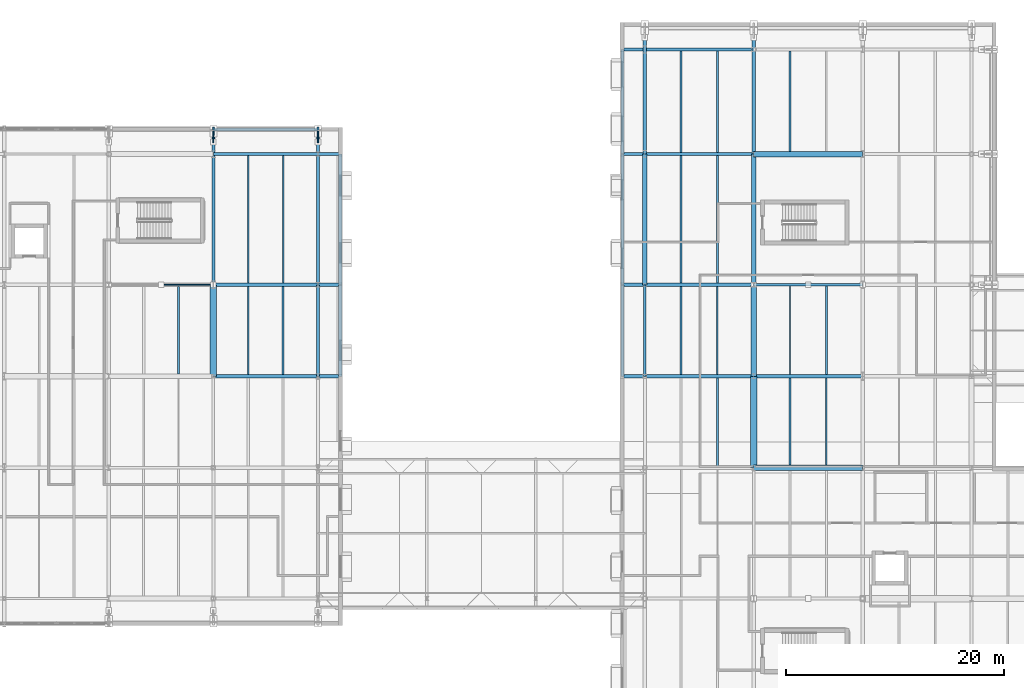
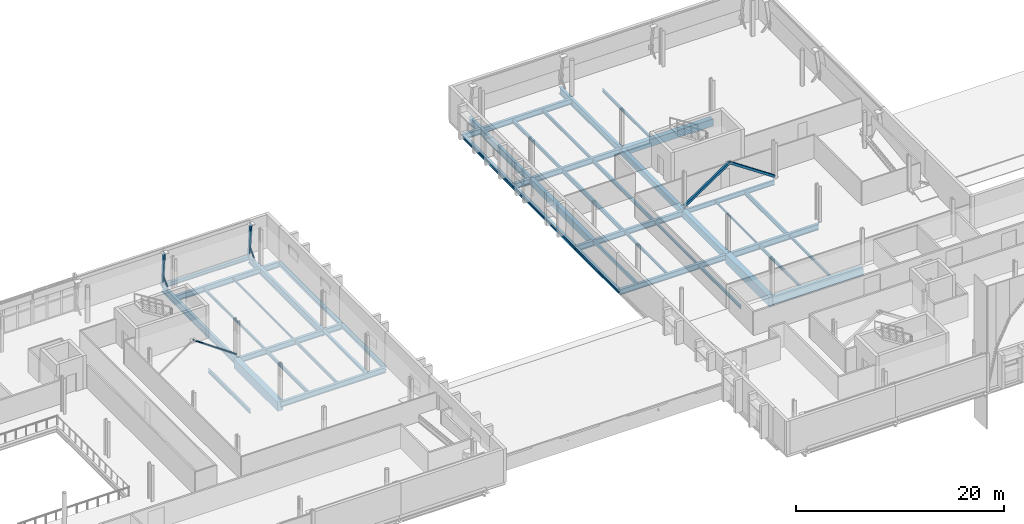
# One storey, part 34 of 90: 45 beams, 7 members.
"""IFC4 building model written with IfcOpenShell, lengths in metres."""

from ifc_helpers import new_model, si_unit, direction, frame, origin, origin_2d, place, context, subcontext, project, spatial, rectangle, hollow_rectangle, hollow_circle, i_section, extrude, material, material_profile, profile_set, type_object, element, save


model = new_model("IFC4")

# Units and contexts
model_context = context("Model", 3, precision=1e-05, world=origin(), true_north=direction((0.0, 1.0)))
body_context = subcontext(model_context, "Body", "Model", "MODEL_VIEW")
ifc_project = project(units=[si_unit("LENGTHUNIT", "METRE"), si_unit("AREAUNIT", "SQUARE_METRE"), si_unit("VOLUMEUNIT", "CUBIC_METRE"), si_unit("PLANEANGLEUNIT", "RADIAN"), si_unit("MASSUNIT", "GRAM", prefix="KILO")], contexts=[model_context])

# Site, building, storey
site_placement = place(None, origin())
site = spatial("IfcSite", under=ifc_project, at=site_placement, CompositionType="ELEMENT")
building_placement = place(site_placement, origin())
building = spatial("IfcBuilding", under=site, at=building_placement, Name="Zereglee Splitstone Museum", CompositionType="ELEMENT")
storey_placement = place(building_placement, frame((0.0, 0.0, 4.800048828125)))
storey = spatial("IfcBuildingStorey", under=building, at=storey_placement, Name="L01", CompositionType="ELEMENT", Elevation=4.800048828125)

# Beams
ifc_material_1 = material(Name="Concrete C40/50", Category="concrete")
ifc_material_profile_1 = material_profile(ifc_material_1, rectangle(XDim=0.449951171875, YDim=0.699951171875, at=origin_2d()), Name="RC 450x700")
ifc_profile_set_1 = profile_set([ifc_material_profile_1], Name="Concrete C40/50")
beam_type_1 = type_object("IfcBeamType", Name="BG-03", PredefinedType="BEAM", material=ifc_profile_set_1)
beam_1_placement = place(storey_placement, frame((185.199951171875, 38.39990234375, -0.650146484375), z_axis=(0.0, 1.0, 0.0), x_axis=(-1.0, 0.0, 0.0)))
element("IfcBeam", 1, at=beam_1_placement, inside=storey, type_object=beam_type_1, Name="Primary Girder L01 21 (38.4-50.4)", PredefinedType="BEAM", context=body_context, shape_type="SweptSolid", body=[
    extrude(rectangle(XDim=0.449951171875, YDim=0.699951171875, at=origin_2d()), origin(), (0.0, 0.0, 1.0), 12.0),
])
ifc_material_profile_2 = material_profile(ifc_material_1, rectangle(XDim=0.5, YDim=0.85009765625, at=origin_2d()), Name="RC 500x850")
ifc_profile_set_2 = profile_set([ifc_material_profile_2], Name="Concrete C40/50")
beam_type_2 = type_object("IfcBeamType", Name="BG-02", PredefinedType="BEAM", material=ifc_profile_set_2)
for number, where, z_axis, x_axis, name in (
    (2, (185.199951171875, 21.60009765625, -0.72509765625), (1.0, 0.0, 0.0), (0.0, 1.0, 0.0), "Primary Girder L01 C (185.2-195.2)"),
    (3, (185.199951171875, 50.39990234375, -0.72509765625), (1.0, 0.0, 0.0), (0.0, 1.0, 0.0), "Primary Girder L01 F (185.2-195.2)"),
):
    element("IfcBeam", number, at=place(storey_placement, frame(where, z_axis=z_axis, x_axis=x_axis)), inside=storey, type_object=beam_type_2, Name=name, PredefinedType="BEAM", context=body_context, shape_type="SweptSolid", body=[
        extrude(rectangle(XDim=0.5, YDim=0.85009765625, at=origin_2d()), origin(), (0.0, 0.0, 1.0), 10.0),
    ])
beam_2_placement = place(storey_placement, frame((185.199951171875, 30.0, -0.72509765625), z_axis=(0.0, 1.0, 0.0), x_axis=(-1.0, 0.0, 0.0)))
element("IfcBeam", 4, at=beam_2_placement, inside=storey, type_object=beam_type_2, Name="Primary Girder L01 21 (30.0-38.4)", PredefinedType="BEAM", context=body_context, shape_type="SweptSolid", body=[
    extrude(rectangle(XDim=0.5, YDim=0.85009765625, at=origin_2d()), origin(), (0.0, 0.0, 1.0), 8.39990234375),
])
ifc_material_profile_3 = material_profile(ifc_material_1, rectangle(XDim=0.60009765625, YDim=1.10009765625, at=origin_2d()), Name="RC 600x1100")
ifc_profile_set_3 = profile_set([ifc_material_profile_3], Name="Concrete C40/50")
beam_type_3 = type_object("IfcBeamType", Name="BG-01", PredefinedType="BEAM", material=ifc_profile_set_3)
for number, where, z_axis, x_axis, name in (
    (5, (135.60009765625, 30.0, -0.85009765625), (0.0, 1.0, 0.0), (-1.0, 0.0, 0.0), "Primary Girder L01 16 (30.0-38.4)"),
    (6, (185.199951171875, 21.60009765625, -0.85009765625), (0.0, 1.0, 0.0), (-1.0, 0.0, 0.0), "Primary Girder L01 21 (21.6-30.0)"),
):
    element("IfcBeam", number, at=place(storey_placement, frame(where, z_axis=z_axis, x_axis=x_axis)), inside=storey, type_object=beam_type_3, Name=name, PredefinedType="BEAM", context=body_context, shape_type="SweptSolid", body=[
        extrude(rectangle(XDim=0.60009765625, YDim=1.10009765625, at=origin_2d()), origin(), (0.0, 0.0, 1.0), 8.39990234375),
    ])

# Members
ifc_material_2 = material(Name="Steel S355J2H", Category="steel")
ifc_material_profile_4 = material_profile(ifc_material_2, hollow_circle(Radius=0.084228515625, WallThickness=0.008056640625, at=origin_2d()), Name="CHS 168.3x8")
ifc_profile_set_4 = profile_set([ifc_material_profile_4], Name="Steel S355J2H")
member_type_1 = type_object("IfcMemberType", Name="TB-05", PredefinedType="BRACE", material=ifc_profile_set_4)
member_placement = place(storey_placement, frame((135.60009765625, 38.39990234375, 0.119873046875), z_axis=(-0.819226047866, 0.0, 0.573470733776), x_axis=(0.0, -1.0, 0.0)))
element("IfcMember", 7, at=member_placement, inside=storey, type_object=member_type_1, Name="Lateral Braced Frame Chevron L01-011B", PredefinedType="BRACE", context=body_context, shape_type="SweptSolid", body=[
    extrude(hollow_circle(Radius=0.084228515625, WallThickness=0.008056640625, at=origin_2d()), origin(), (0.0, 0.0, 1.0), 5.859130859375),
])
ifc_material_profile_5 = material_profile(ifc_material_2, hollow_rectangle(XDim=0.25, YDim=0.25, WallThickness=0.012451171875, at=origin_2d()), Name="SHS 250x250x12.5")
ifc_profile_set_5 = profile_set([ifc_material_profile_5], Name="Steel S355J2H")
member_type_2 = type_object("IfcMemberType", Name="TB-06", PredefinedType="BRACE", material=ifc_profile_set_5)
for number, where, z_axis, x_axis, name in (
    (8, (185.199951171875, 38.39990234375, 0.119873046875), (0.82999331447, 0.0, 0.557773339211), (0.0, 1.0, 0.0), "Lateral Braced Frame Chevron L01-020A"),
    (9, (195.199951171875, 38.39990234375, 0.119873046875), (-0.82999331447, 0.0, 0.557773339211), (0.0, -1.0, 0.0), "Lateral Braced Frame Chevron L01-020B"),
):
    element("IfcMember", number, at=place(storey_placement, frame(where, z_axis=z_axis, x_axis=x_axis)), inside=storey, type_object=member_type_2, Name=name, PredefinedType="BRACE", context=body_context, shape_type="SweptSolid", body=[
        extrude(hollow_rectangle(XDim=0.25, YDim=0.25, WallThickness=0.012451171875, at=origin_2d()), origin(), (0.0, 0.0, 1.0), 6.024169921875),
    ])

# Beams
ifc_material_3 = material(Name="Steel S355J2", Category="steel")
ifc_material_profile_6 = material_profile(ifc_material_3, i_section(OverallWidth=0.300048828125, OverallDepth=0.64990234375, WebThickness=0.01611328125, FlangeThickness=0.031005859375, FilletRadius=0.027099609375, at=origin_2d()), Name="HE 650 B")
ifc_profile_set_6 = profile_set([ifc_material_profile_6], Name="Steel S355J2")
beam_type_4 = type_object("IfcBeamType", Name="BG-09", PredefinedType="BEAM", material=ifc_profile_set_6)
beam_3_placement = place(storey_placement, frame((135.60009765625, 30.0, -0.625), z_axis=(1.0, 0.0, 0.0), x_axis=(0.0, 1.0, 0.0)))
element("IfcBeam", 10, at=beam_3_placement, inside=storey, type_object=beam_type_4, Name="Primary Girder L01 D (135.6-147.2)", PredefinedType="BEAM", context=body_context, shape_type="SweptSolid", body=[
    extrude(i_section(OverallWidth=0.300048828125, OverallDepth=0.64990234375, WebThickness=0.01611328125, FlangeThickness=0.031005859375, FilletRadius=0.027099609375, at=origin_2d()), origin(), (0.0, 0.0, 1.0), 11.64990234375),
])
beam_4_placement = place(storey_placement, frame((173.14990234375, 30.0, -0.625), z_axis=(1.0, 0.0, 0.0), x_axis=(0.0, 1.0, 0.0)))
element("IfcBeam", 11, at=beam_4_placement, inside=storey, type_object=beam_type_4, Name="Primary Girder L01 D (173.2-185.2)", PredefinedType="BEAM", context=body_context, shape_type="SweptSolid", body=[
    extrude(i_section(OverallWidth=0.300048828125, OverallDepth=0.64990234375, WebThickness=0.01611328125, FlangeThickness=0.031005859375, FilletRadius=0.027099609375, at=origin_2d()), origin(), (0.0, 0.0, 1.0), 12.050048828125),
])
beam_5_placement = place(storey_placement, frame((135.60009765625, 38.39990234375, -0.625), z_axis=(1.0, 0.0, 0.0), x_axis=(0.0, 1.0, 0.0)))
element("IfcBeam", 12, at=beam_5_placement, inside=storey, type_object=beam_type_4, Name="Primary Girder L01 E (135.6-147.2)", PredefinedType="BEAM", context=body_context, shape_type="SweptSolid", body=[
    extrude(i_section(OverallWidth=0.300048828125, OverallDepth=0.64990234375, WebThickness=0.01611328125, FlangeThickness=0.031005859375, FilletRadius=0.027099609375, at=origin_2d()), origin(), (0.0, 0.0, 1.0), 11.64990234375),
])
beam_6_placement = place(storey_placement, frame((173.14990234375, 38.39990234375, -0.625), z_axis=(1.0, 0.0, 0.0), x_axis=(0.0, 1.0, 0.0)))
element("IfcBeam", 13, at=beam_6_placement, inside=storey, type_object=beam_type_4, Name="Primary Girder L01 E (173.2-185.2)", PredefinedType="BEAM", context=body_context, shape_type="SweptSolid", body=[
    extrude(i_section(OverallWidth=0.300048828125, OverallDepth=0.64990234375, WebThickness=0.01611328125, FlangeThickness=0.031005859375, FilletRadius=0.027099609375, at=origin_2d()), origin(), (0.0, 0.0, 1.0), 12.050048828125),
])
beam_7_placement = place(storey_placement, frame((135.60009765625, 50.39990234375, -0.625), z_axis=(1.0, 0.0, 0.0), x_axis=(0.0, 1.0, 0.0)))
element("IfcBeam", 14, at=beam_7_placement, inside=storey, type_object=beam_type_4, Name="Primary Girder L01 F (135.6-147.2)", PredefinedType="BEAM", context=body_context, shape_type="SweptSolid", body=[
    extrude(i_section(OverallWidth=0.300048828125, OverallDepth=0.64990234375, WebThickness=0.01611328125, FlangeThickness=0.031005859375, FilletRadius=0.027099609375, at=origin_2d()), origin(), (0.0, 0.0, 1.0), 11.64990234375),
])
for number, where, z_axis, x_axis, name in (
    (15, (173.14990234375, 50.39990234375, -0.625), (1.0, 0.0, 0.0), (0.0, 1.0, 0.0), "Primary Girder L01 F (173.2-185.2)"),
    (16, (173.14990234375, 60.0, -0.625), (1.0, 0.0, 0.0), (0.0, 1.0, 0.0), "Primary Girder L01 G (173.2-185.2)"),
):
    element("IfcBeam", number, at=place(storey_placement, frame(where, z_axis=z_axis, x_axis=x_axis)), inside=storey, type_object=beam_type_4, Name=name, PredefinedType="BEAM", context=body_context, shape_type="SweptSolid", body=[
        extrude(i_section(OverallWidth=0.300048828125, OverallDepth=0.64990234375, WebThickness=0.01611328125, FlangeThickness=0.031005859375, FilletRadius=0.027099609375, at=origin_2d()), origin(), (0.0, 0.0, 1.0), 12.050048828125),
    ])
ifc_material_profile_7 = material_profile(ifc_material_3, i_section(OverallWidth=0.300048828125, OverallDepth=0.699951171875, WebThickness=0.01708984375, FlangeThickness=0.031982421875, FilletRadius=0.027099609375, at=origin_2d()), Name="HE 700 B")
ifc_profile_set_7 = profile_set([ifc_material_profile_7], Name="Steel S355J2")
beam_type_5 = type_object("IfcBeamType", Name="BG-08", PredefinedType="BEAM", material=ifc_profile_set_7)
beam_8_placement = place(storey_placement, frame((185.199951171875, 30.0, -0.650146484375), z_axis=(1.0, 0.0, 0.0), x_axis=(0.0, 1.0, 0.0)))
element("IfcBeam", 17, at=beam_8_placement, inside=storey, type_object=beam_type_5, Name="Primary Girder L01 D (185.2-195.2)", PredefinedType="BEAM", context=body_context, shape_type="SweptSolid", body=[
    extrude(i_section(OverallWidth=0.300048828125, OverallDepth=0.699951171875, WebThickness=0.01708984375, FlangeThickness=0.031982421875, FilletRadius=0.027099609375, at=origin_2d()), origin(), (0.0, 0.0, 1.0), 10.0),
])
ifc_material_profile_8 = material_profile(ifc_material_3, i_section(OverallWidth=0.300048828125, OverallDepth=0.800048828125, WebThickness=0.017578125, FlangeThickness=0.032958984375, FilletRadius=0.030029296875, at=origin_2d()), Name="HE 800 B")
ifc_profile_set_8 = profile_set([ifc_material_profile_8], Name="Steel S355J2")
beam_type_6 = type_object("IfcBeamType", Name="BG-07", PredefinedType="BEAM", material=ifc_profile_set_8)
for number, where, z_axis, x_axis, name in (
    (18, (135.60009765625, 38.39990234375, -0.699951171875), (0.0, 1.0, 0.0), (-1.0, 0.0, 0.0), "Primary Girder L01 16 (38.4-52.6)"),
    (19, (145.199951171875, 38.39990234375, -0.699951171875), (0.0, 1.0, 0.0), (-1.0, 0.0, 0.0), "Primary Girder L01 17 (38.4-52.6)"),
):
    element("IfcBeam", number, at=place(storey_placement, frame(where, z_axis=z_axis, x_axis=x_axis)), inside=storey, type_object=beam_type_6, Name=name, PredefinedType="BEAM", context=body_context, shape_type="SweptSolid", body=[
        extrude(i_section(OverallWidth=0.300048828125, OverallDepth=0.800048828125, WebThickness=0.017578125, FlangeThickness=0.032958984375, FilletRadius=0.030029296875, at=origin_2d()), origin(), (0.0, 0.0, 1.0), 14.25),
    ])
for number, where, z_axis, x_axis, name in (
    (20, (175.199951171875, 50.39990234375, -0.699951171875), (0.0, 1.0, 0.0), (-1.0, 0.0, 0.0), "Primary Girder L01 20 (50.4-62.2)"),
    (21, (185.199951171875, 50.39990234375, -0.699951171875), (0.0, 1.0, 0.0), (-1.0, 0.0, 0.0), "Primary Girder L01 21 (50.4-62.2)"),
):
    element("IfcBeam", number, at=place(storey_placement, frame(where, z_axis=z_axis, x_axis=x_axis)), inside=storey, type_object=beam_type_6, Name=name, PredefinedType="BEAM", context=body_context, shape_type="SweptSolid", body=[
        extrude(i_section(OverallWidth=0.300048828125, OverallDepth=0.800048828125, WebThickness=0.017578125, FlangeThickness=0.032958984375, FilletRadius=0.030029296875, at=origin_2d()), origin(), (0.0, 0.0, 1.0), 11.85009765625),
    ])
ifc_material_profile_9 = material_profile(ifc_material_3, i_section(OverallWidth=0.2099609375, OverallDepth=0.550048828125, WebThickness=0.010986328125, FlangeThickness=0.01708984375, FilletRadius=0.02392578125, at=origin_2d()), Name="IPE 550")
ifc_profile_set_9 = profile_set([ifc_material_profile_9], Name="Steel S355J2")
beam_type_7 = type_object("IfcBeamType", Name="BG-16", PredefinedType="BEAM", material=ifc_profile_set_9)
beam_9_placement = place(storey_placement, frame((185.199951171875, 38.39990234375, -0.574951171875), z_axis=(1.0, 0.0, 0.0), x_axis=(0.0, 1.0, 0.0)))
element("IfcBeam", 22, at=beam_9_placement, inside=storey, type_object=beam_type_7, Name="Primary Girder L01 E (185.2-195.2)", PredefinedType="BEAM", context=body_context, shape_type="SweptSolid", body=[
    extrude(i_section(OverallWidth=0.2099609375, OverallDepth=0.550048828125, WebThickness=0.010986328125, FlangeThickness=0.01708984375, FilletRadius=0.02392578125, at=origin_2d()), origin(), (0.0, 0.0, 1.0), 10.0),
])
ifc_material_profile_10 = material_profile(ifc_material_3, i_section(OverallWidth=0.1201171875, OverallDepth=0.239990234375, WebThickness=0.006103515625, FlangeThickness=0.009765625, FilletRadius=0.014892578125, at=origin_2d()), Name="IPE 240")
ifc_profile_set_10 = profile_set([ifc_material_profile_10], Name="Steel S355J2")
beam_type_8 = type_object("IfcBeamType", Name="BJ-07", PredefinedType="JOIST", material=ifc_profile_set_10)
beam_10_placement = place(storey_placement, frame((188.533203125, 30.14990234375, -0.420166015625), z_axis=(0.0, 1.0, 0.0), x_axis=(-1.0, 0.0, 0.0)))
element("IfcBeam", 23, at=beam_10_placement, inside=storey, type_object=beam_type_8, Name="Secondary Floor Joist L01-0776", PredefinedType="JOIST", context=body_context, shape_type="SweptSolid", body=[
    extrude(i_section(OverallWidth=0.1201171875, OverallDepth=0.239990234375, WebThickness=0.006103515625, FlangeThickness=0.009765625, FilletRadius=0.014892578125, at=origin_2d()), origin(), (0.0, 0.0, 1.0), 8.14501953125),
])
beam_11_placement = place(storey_placement, frame((142.0, 38.550048828125, -0.420166015625), z_axis=(0.0, 1.0, 0.0), x_axis=(-1.0, 0.0, 0.0)))
element("IfcBeam", 24, at=beam_11_placement, inside=storey, type_object=beam_type_8, Name="Secondary Floor Joist L01-0804", PredefinedType="JOIST", context=body_context, shape_type="SweptSolid", body=[
    extrude(i_section(OverallWidth=0.1201171875, OverallDepth=0.239990234375, WebThickness=0.006103515625, FlangeThickness=0.009765625, FilletRadius=0.014892578125, at=origin_2d()), origin(), (0.0, 0.0, 1.0), 11.699951171875),
])
ifc_material_profile_11 = material_profile(ifc_material_3, i_section(OverallWidth=0.14990234375, OverallDepth=0.300048828125, WebThickness=0.007080078125, FlangeThickness=0.0107421875, FilletRadius=0.014892578125, at=origin_2d()), Name="IPE 300")
ifc_profile_set_11 = profile_set([ifc_material_profile_11], Name="Steel S355J2")
beam_type_9 = type_object("IfcBeamType", Name="BJ-06", PredefinedType="JOIST", material=ifc_profile_set_11)
beam_12_placement = place(storey_placement, frame((191.86669921875, 21.85009765625, -0.449951171875), z_axis=(0.0, 1.0, 0.0), x_axis=(-1.0, 0.0, 0.0)))
element("IfcBeam", 25, at=beam_12_placement, inside=storey, type_object=beam_type_9, Name="Secondary Floor Joist L01-0747", PredefinedType="JOIST", context=body_context, shape_type="SweptSolid", body=[
    extrude(i_section(OverallWidth=0.14990234375, OverallDepth=0.300048828125, WebThickness=0.007080078125, FlangeThickness=0.0107421875, FilletRadius=0.014892578125, at=origin_2d()), origin(), (0.0, 0.0, 1.0), 8.0),
])
beam_13_placement = place(storey_placement, frame((181.86669921875, 30.14990234375, -0.449951171875), z_axis=(0.0, 1.0, 0.0), x_axis=(-1.0, 0.0, 0.0)))
element("IfcBeam", 26, at=beam_13_placement, inside=storey, type_object=beam_type_9, Name="Secondary Floor Joist L01-0775", PredefinedType="JOIST", context=body_context, shape_type="SweptSolid", body=[
    extrude(i_section(OverallWidth=0.14990234375, OverallDepth=0.300048828125, WebThickness=0.007080078125, FlangeThickness=0.0107421875, FilletRadius=0.014892578125, at=origin_2d()), origin(), (0.0, 0.0, 1.0), 8.10009765625),
])
beam_14_placement = place(storey_placement, frame((138.800048828125, 38.550048828125, -0.449951171875), z_axis=(0.0, 1.0, 0.0), x_axis=(-1.0, 0.0, 0.0)))
element("IfcBeam", 27, at=beam_14_placement, inside=storey, type_object=beam_type_9, Name="Secondary Floor Joist L01-0803", PredefinedType="JOIST", context=body_context, shape_type="SweptSolid", body=[
    extrude(i_section(OverallWidth=0.14990234375, OverallDepth=0.300048828125, WebThickness=0.007080078125, FlangeThickness=0.0107421875, FilletRadius=0.014892578125, at=origin_2d()), origin(), (0.0, 0.0, 1.0), 11.699951171875),
])
ifc_material_profile_12 = material_profile(ifc_material_3, i_section(OverallWidth=0.159912109375, OverallDepth=0.330078125, WebThickness=0.007568359375, FlangeThickness=0.011474609375, FilletRadius=0.01806640625, at=origin_2d()), Name="IPE 330")
ifc_profile_set_12 = profile_set([ifc_material_profile_12], Name="Steel S355J2")
beam_type_10 = type_object("IfcBeamType", Name="BJ-05", PredefinedType="JOIST", material=ifc_profile_set_12)
beam_15_placement = place(storey_placement, frame((188.533203125, 21.85009765625, -0.465087890625), z_axis=(0.0, 1.0, 0.0), x_axis=(-1.0, 0.0, 0.0)))
element("IfcBeam", 28, at=beam_15_placement, inside=storey, type_object=beam_type_10, Name="Secondary Floor Joist L01-0746", PredefinedType="JOIST", context=body_context, shape_type="SweptSolid", body=[
    extrude(i_section(OverallWidth=0.159912109375, OverallDepth=0.330078125, WebThickness=0.007568359375, FlangeThickness=0.011474609375, FilletRadius=0.01806640625, at=origin_2d()), origin(), (0.0, 0.0, 1.0), 8.0),
])
beam_16_placement = place(storey_placement, frame((178.533203125, 30.14990234375, -0.465087890625), z_axis=(0.0, 1.0, 0.0), x_axis=(-1.0, 0.0, 0.0)))
element("IfcBeam", 29, at=beam_16_placement, inside=storey, type_object=beam_type_10, Name="Secondary Floor Joist L01-0774", PredefinedType="JOIST", context=body_context, shape_type="SweptSolid", body=[
    extrude(i_section(OverallWidth=0.159912109375, OverallDepth=0.330078125, WebThickness=0.007568359375, FlangeThickness=0.011474609375, FilletRadius=0.01806640625, at=origin_2d()), origin(), (0.0, 0.0, 1.0), 8.10009765625),
])
beam_17_placement = place(storey_placement, frame((188.533203125, 50.64990234375, -0.465087890625), z_axis=(0.0, 1.0, 0.0), x_axis=(-1.0, 0.0, 0.0)))
element("IfcBeam", 30, at=beam_17_placement, inside=storey, type_object=beam_type_10, Name="Secondary Floor Joist L01-0816", PredefinedType="JOIST", context=body_context, shape_type="SweptSolid", body=[
    extrude(i_section(OverallWidth=0.159912109375, OverallDepth=0.330078125, WebThickness=0.007568359375, FlangeThickness=0.011474609375, FilletRadius=0.01806640625, at=origin_2d()), origin(), (0.0, 0.0, 1.0), 9.2001953125),
])
ifc_material_profile_13 = material_profile(ifc_material_3, i_section(OverallWidth=0.169921875, OverallDepth=0.360107421875, WebThickness=0.008056640625, FlangeThickness=0.0126953125, FilletRadius=0.01806640625, at=origin_2d()), Name="IPE 360")
ifc_profile_set_13 = profile_set([ifc_material_profile_13], Name="Steel S355J2")
beam_type_11 = type_object("IfcBeamType", Name="BJ-04", PredefinedType="JOIST", material=ifc_profile_set_13)
for number, where, z_axis, x_axis, name in (
    (31, (181.86669921875, 21.75, -0.47998046875), (0.0, 1.0, 0.0), (-1.0, 0.0, 0.0), "Secondary Floor Joist L01-0745"),
    (32, (142.0, 30.14990234375, -0.47998046875), (0.0, 1.0, 0.0), (-1.0, 0.0, 0.0), "Secondary Floor Joist L01-0773"),
):
    element("IfcBeam", number, at=place(storey_placement, frame(where, z_axis=z_axis, x_axis=x_axis)), inside=storey, type_object=beam_type_11, Name=name, PredefinedType="JOIST", context=body_context, shape_type="SweptSolid", body=[
        extrude(i_section(OverallWidth=0.169921875, OverallDepth=0.360107421875, WebThickness=0.008056640625, FlangeThickness=0.0126953125, FilletRadius=0.01806640625, at=origin_2d()), origin(), (0.0, 0.0, 1.0), 8.10009765625),
    ])
beam_18_placement = place(storey_placement, frame((181.86669921875, 50.550048828125, -0.47998046875), z_axis=(0.0, 1.0, 0.0), x_axis=(-1.0, 0.0, 0.0)))
element("IfcBeam", 33, at=beam_18_placement, inside=storey, type_object=beam_type_11, Name="Secondary Floor Joist L01-0815", PredefinedType="JOIST", context=body_context, shape_type="SweptSolid", body=[
    extrude(i_section(OverallWidth=0.169921875, OverallDepth=0.360107421875, WebThickness=0.008056640625, FlangeThickness=0.0126953125, FilletRadius=0.01806640625, at=origin_2d()), origin(), (0.0, 0.0, 1.0), 9.300048828125),
])
ifc_material_profile_14 = material_profile(ifc_material_3, i_section(OverallWidth=0.179931640625, OverallDepth=0.39990234375, WebThickness=0.008544921875, FlangeThickness=0.013427734375, FilletRadius=0.02099609375, at=origin_2d()), Name="IPE 400")
ifc_profile_set_14 = profile_set([ifc_material_profile_14], Name="Steel S355J2")
beam_type_12 = type_object("IfcBeamType", Name="BJ-03", PredefinedType="JOIST", material=ifc_profile_set_14)
beam_19_placement = place(storey_placement, frame((138.800048828125, 30.14990234375, -0.5), z_axis=(0.0, 1.0, 0.0), x_axis=(-1.0, 0.0, 0.0)))
element("IfcBeam", 34, at=beam_19_placement, inside=storey, type_object=beam_type_12, Name="Secondary Floor Joist L01-0772", PredefinedType="JOIST", context=body_context, shape_type="SweptSolid", body=[
    extrude(i_section(OverallWidth=0.179931640625, OverallDepth=0.39990234375, WebThickness=0.008544921875, FlangeThickness=0.013427734375, FilletRadius=0.02099609375, at=origin_2d()), origin(), (0.0, 0.0, 1.0), 8.10009765625),
])
beam_20_placement = place(storey_placement, frame((178.533203125, 50.550048828125, -0.5), z_axis=(0.0, 1.0, 0.0), x_axis=(-1.0, 0.0, 0.0)))
element("IfcBeam", 35, at=beam_20_placement, inside=storey, type_object=beam_type_12, Name="Secondary Floor Joist L01-0814", PredefinedType="JOIST", context=body_context, shape_type="SweptSolid", body=[
    extrude(i_section(OverallWidth=0.179931640625, OverallDepth=0.39990234375, WebThickness=0.008544921875, FlangeThickness=0.013427734375, FilletRadius=0.02099609375, at=origin_2d()), origin(), (0.0, 0.0, 1.0), 9.300048828125),
])
ifc_material_profile_15 = material_profile(ifc_material_3, i_section(OverallWidth=0.18994140625, OverallDepth=0.449951171875, WebThickness=0.009521484375, FlangeThickness=0.0146484375, FilletRadius=0.02099609375, at=origin_2d()), Name="IPE 450")
ifc_profile_set_15 = profile_set([ifc_material_profile_15], Name="Steel S355J2")
beam_type_13 = type_object("IfcBeamType", Name="BJ-02", PredefinedType="JOIST", material=ifc_profile_set_15)
beam_21_placement = place(storey_placement, frame((132.39990234375, 30.22509765625, -0.525146484375), z_axis=(0.0, 1.0, 0.0), x_axis=(-1.0, 0.0, 0.0)))
element("IfcBeam", 36, at=beam_21_placement, inside=storey, type_object=beam_type_13, Name="Secondary Floor Joist L01-0771", PredefinedType="JOIST", context=body_context, shape_type="SweptSolid", body=[
    extrude(i_section(OverallWidth=0.18994140625, OverallDepth=0.449951171875, WebThickness=0.009521484375, FlangeThickness=0.0146484375, FilletRadius=0.02099609375, at=origin_2d()), origin(), (0.0, 0.0, 1.0), 8.02490234375),
])
beam_22_placement = place(storey_placement, frame((181.86669921875, 38.550048828125, -0.525146484375), z_axis=(0.0, 1.0, 0.0), x_axis=(-1.0, 0.0, 0.0)))
element("IfcBeam", 37, at=beam_22_placement, inside=storey, type_object=beam_type_13, Name="Secondary Floor Joist L01-0806", PredefinedType="JOIST", context=body_context, shape_type="SweptSolid", body=[
    extrude(i_section(OverallWidth=0.18994140625, OverallDepth=0.449951171875, WebThickness=0.009521484375, FlangeThickness=0.0146484375, FilletRadius=0.02099609375, at=origin_2d()), origin(), (0.0, 0.0, 1.0), 11.699951171875),
])
ifc_material_profile_16 = material_profile(ifc_material_3, i_section(OverallWidth=0.199951171875, OverallDepth=0.5, WebThickness=0.01025390625, FlangeThickness=0.01611328125, FilletRadius=0.02099609375, at=origin_2d()), Name="IPE 500")
ifc_profile_set_16 = profile_set([ifc_material_profile_16], Name="Steel S355J2")
beam_type_14 = type_object("IfcBeamType", Name="BJ-01", PredefinedType="JOIST", material=ifc_profile_set_16)
beam_23_placement = place(storey_placement, frame((191.86669921875, 30.14990234375, -0.550048828125), z_axis=(0.0, 1.0, 0.0), x_axis=(-1.0, 0.0, 0.0)))
element("IfcBeam", 38, at=beam_23_placement, inside=storey, type_object=beam_type_14, Name="Secondary Floor Joist L01-0777", PredefinedType="JOIST", context=body_context, shape_type="SweptSolid", body=[
    extrude(i_section(OverallWidth=0.199951171875, OverallDepth=0.5, WebThickness=0.01025390625, FlangeThickness=0.01611328125, FilletRadius=0.02099609375, at=origin_2d()), origin(), (0.0, 0.0, 1.0), 8.14501953125),
])
beam_24_placement = place(storey_placement, frame((178.533203125, 38.550048828125, -0.550048828125), z_axis=(0.0, 1.0, 0.0), x_axis=(-1.0, 0.0, 0.0)))
element("IfcBeam", 39, at=beam_24_placement, inside=storey, type_object=beam_type_14, Name="Secondary Floor Joist L01-0805", PredefinedType="JOIST", context=body_context, shape_type="SweptSolid", body=[
    extrude(i_section(OverallWidth=0.199951171875, OverallDepth=0.5, WebThickness=0.01025390625, FlangeThickness=0.01611328125, FilletRadius=0.02099609375, at=origin_2d()), origin(), (0.0, 0.0, 1.0), 11.699951171875),
])
ifc_material_profile_17 = material_profile(ifc_material_3, i_section(OverallWidth=0.280029296875, OverallDepth=0.280029296875, WebThickness=0.010498046875, FlangeThickness=0.01806640625, FilletRadius=0.02392578125, at=origin_2d()), Name="HE 280 B")
ifc_profile_set_17 = profile_set([ifc_material_profile_17], Name="Steel S355J2")
beam_type_15 = type_object("IfcBeamType", Name="SP-03", PredefinedType="SPANDREL", material=ifc_profile_set_17)
beam_25_placement = place(storey_placement, frame((145.199951171875, 30.0, -0.43994140625), z_axis=(0.0, 1.0, 0.0), x_axis=(-1.0, 0.0, 0.0)))
element("IfcBeam", 40, at=beam_25_placement, inside=storey, type_object=beam_type_15, Name="Primary Girder L01 17 (30.0-38.4)", PredefinedType="SPANDREL", context=body_context, shape_type="SweptSolid", body=[
    extrude(i_section(OverallWidth=0.280029296875, OverallDepth=0.280029296875, WebThickness=0.010498046875, FlangeThickness=0.01806640625, FilletRadius=0.02392578125, at=origin_2d()), origin(), (0.0, 0.0, 1.0), 8.39990234375),
])
ifc_material_profile_18 = material_profile(ifc_material_3, i_section(OverallWidth=0.300048828125, OverallDepth=0.449951171875, WebThickness=0.013916015625, FlangeThickness=0.02587890625, FilletRadius=0.027099609375, at=origin_2d()), Name="HE 450 B")
ifc_profile_set_18 = profile_set([ifc_material_profile_18], Name="Steel S355J2")
beam_type_16 = type_object("IfcBeamType", Name="SP-02", PredefinedType="SPANDREL", material=ifc_profile_set_18)
beam_26_placement = place(storey_placement, frame((135.60009765625, 52.64990234375, -0.525146484375), z_axis=(1.0, 0.0, 0.0), x_axis=(0.0, 1.0, 0.0)))
element("IfcBeam", 41, at=beam_26_placement, inside=storey, type_object=beam_type_16, Name="Hovering Soffit Spandrel L01 (135.6-145.2)", PredefinedType="SPANDREL", context=body_context, shape_type="SweptSolid", body=[
    extrude(i_section(OverallWidth=0.300048828125, OverallDepth=0.449951171875, WebThickness=0.013916015625, FlangeThickness=0.02587890625, FilletRadius=0.027099609375, at=origin_2d()), origin(), (0.0, 0.0, 1.0), 9.599853515625),
])
beam_27_placement = place(storey_placement, frame((147.25, 30.0, -0.525146484375), z_axis=(0.0, 1.0, 0.0), x_axis=(-1.0, 0.0, 0.0)))
element("IfcBeam", 42, at=beam_27_placement, inside=storey, type_object=beam_type_16, Name="Hovering Soffit Spandrel L01 Y=(30.0-38.4)", PredefinedType="SPANDREL", context=body_context, shape_type="SweptSolid", body=[
    extrude(i_section(OverallWidth=0.300048828125, OverallDepth=0.449951171875, WebThickness=0.013916015625, FlangeThickness=0.02587890625, FilletRadius=0.027099609375, at=origin_2d()), origin(), (0.0, 0.0, 1.0), 8.39990234375),
])
beam_28_placement = place(storey_placement, frame((147.25, 38.39990234375, -0.525146484375), z_axis=(0.0, 1.0, 0.0), x_axis=(-1.0, 0.0, 0.0)))
element("IfcBeam", 43, at=beam_28_placement, inside=storey, type_object=beam_type_16, Name="Hovering Soffit Spandrel L01 Y=(38.4-50.4)", PredefinedType="SPANDREL", context=body_context, shape_type="SweptSolid", body=[
    extrude(i_section(OverallWidth=0.300048828125, OverallDepth=0.449951171875, WebThickness=0.013916015625, FlangeThickness=0.02587890625, FilletRadius=0.027099609375, at=origin_2d()), origin(), (0.0, 0.0, 1.0), 12.0),
])
beam_29_placement = place(storey_placement, frame((173.14990234375, 30.0, -0.525146484375), z_axis=(0.0, 1.0, 0.0), x_axis=(-1.0, 0.0, 0.0)))
element("IfcBeam", 44, at=beam_29_placement, inside=storey, type_object=beam_type_16, Name="Hovering Soffit Spandrel L01 Y=(30.0-38.4)", PredefinedType="SPANDREL", context=body_context, shape_type="SweptSolid", body=[
    extrude(i_section(OverallWidth=0.300048828125, OverallDepth=0.449951171875, WebThickness=0.013916015625, FlangeThickness=0.02587890625, FilletRadius=0.027099609375, at=origin_2d()), origin(), (0.0, 0.0, 1.0), 8.39990234375),
])
beam_30_placement = place(storey_placement, frame((173.14990234375, 38.39990234375, -0.525146484375), z_axis=(0.0, 1.0, 0.0), x_axis=(-1.0, 0.0, 0.0)))
element("IfcBeam", 45, at=beam_30_placement, inside=storey, type_object=beam_type_16, Name="Hovering Soffit Spandrel L01 Y=(38.4-50.4)", PredefinedType="SPANDREL", context=body_context, shape_type="SweptSolid", body=[
    extrude(i_section(OverallWidth=0.300048828125, OverallDepth=0.449951171875, WebThickness=0.013916015625, FlangeThickness=0.02587890625, FilletRadius=0.027099609375, at=origin_2d()), origin(), (0.0, 0.0, 1.0), 12.0),
])
beam_31_placement = place(storey_placement, frame((173.14990234375, 50.39990234375, -0.525146484375), z_axis=(0.0, 1.0, 0.0), x_axis=(-1.0, 0.0, 0.0)))
element("IfcBeam", 46, at=beam_31_placement, inside=storey, type_object=beam_type_16, Name="Hovering Soffit Spandrel L01 Y=(50.4-60.0)", PredefinedType="SPANDREL", context=body_context, shape_type="SweptSolid", body=[
    extrude(i_section(OverallWidth=0.300048828125, OverallDepth=0.449951171875, WebThickness=0.013916015625, FlangeThickness=0.02587890625, FilletRadius=0.027099609375, at=origin_2d()), origin(), (0.0, 0.0, 1.0), 9.60009765625),
])
ifc_material_profile_19 = material_profile(ifc_material_1, rectangle(XDim=0.449951171875, YDim=0.75, at=origin_2d()), Name="RC 450x750")
ifc_profile_set_19 = profile_set([ifc_material_profile_19], Name="Concrete C40/50")
beam_type_17 = type_object("IfcBeamType", Name="SP-01", PredefinedType="SPANDREL", material=ifc_profile_set_19)
beam_32_placement = place(storey_placement, frame((175.199951171875, 38.39990234375, -0.675048828125), z_axis=(0.0, 1.0, 0.0), x_axis=(-1.0, 0.0, 0.0)))
element("IfcBeam", 47, at=beam_32_placement, inside=storey, type_object=beam_type_17, Name="Primary Girder L01 20 (38.4-50.4)", PredefinedType="SPANDREL", context=body_context, shape_type="SweptSolid", body=[
    extrude(rectangle(XDim=0.449951171875, YDim=0.75, at=origin_2d()), origin(), (0.0, 0.0, 1.0), 12.0),
])
ifc_material_profile_20 = material_profile(ifc_material_2, hollow_rectangle(XDim=0.199951171875, YDim=0.39990234375, WallThickness=0.01611328125, at=origin_2d()), Name="RHS 400x200x16")
ifc_profile_set_20 = profile_set([ifc_material_profile_20], Name="Steel S355J2H")
beam_type_18 = type_object("IfcBeamType", Name="SP-04", PredefinedType="SPANDREL", material=ifc_profile_set_20)
beam_33_placement = place(storey_placement, frame((175.199951171875, 30.0, -0.5), z_axis=(0.0, 1.0, 0.0), x_axis=(-1.0, 0.0, 0.0)))
element("IfcBeam", 48, at=beam_33_placement, inside=storey, type_object=beam_type_18, Name="Primary Girder L01 20 (30.0-38.4)", PredefinedType="SPANDREL", context=body_context, shape_type="SweptSolid", body=[
    extrude(hollow_rectangle(XDim=0.199951171875, YDim=0.39990234375, WallThickness=0.01611328125, at=origin_2d()), origin(), (0.0, 0.0, 1.0), 8.39990234375),
])

# Members
ifc_material_profile_21 = material_profile(ifc_material_2, hollow_rectangle(XDim=0.14990234375, YDim=0.35009765625, WallThickness=0.012451171875, at=origin_2d()), Name="RHS 350x150x12.5")
ifc_profile_set_21 = profile_set([ifc_material_profile_21], Name="Steel S355J2H")
member_type_3 = type_object("IfcMemberType", Name="FS-R0", PredefinedType="STRUT", material=ifc_profile_set_21)
for number, where, z_axis, x_axis, name in (
    (49, (135.60009765625, 52.6865234375, -0.550048828125), (0.0, -0.090913341279, 0.995858807451), (1.0, 0.0, 0.0), "Split-Rock Continuous Facet Strut FH-V2NE L01-02"),
    (50, (145.199951171875, 52.6865234375, -0.550048828125), (0.0, -0.090913341279, 0.995858807451), (1.0, 0.0, 0.0), "Split-Rock Continuous Facet Strut FH-V2NE L01-03"),
):
    element("IfcMember", number, at=place(storey_placement, frame(where, z_axis=z_axis, x_axis=x_axis)), inside=storey, type_object=member_type_3, Name=name, PredefinedType="STRUT", context=body_context, shape_type="SweptSolid", body=[
        extrude(hollow_rectangle(XDim=0.14990234375, YDim=0.35009765625, WallThickness=0.012451171875, at=origin_2d()), origin(), (0.0, 0.0, 1.0), 4.197265625),
    ])
ifc_material_profile_22 = material_profile(ifc_material_2, hollow_rectangle(XDim=0.10009765625, YDim=0.179931640625, WallThickness=0.008056640625, at=origin_2d()), Name="RHS 180x100x8")
ifc_profile_set_22 = profile_set([ifc_material_profile_22], Name="Steel S355J2H")
member_type_4 = type_object("IfcMemberType", Name="FS-T2", PredefinedType="STRUT", material=ifc_profile_set_22)
for number, where, z_axis, x_axis, name in (
    (51, (135.60009765625, 51.5, -0.260009765625), (0.0, 0.67257975444, 0.740024644128), (-1.0, 0.0, 0.0), "Facet Tie-Back Strut FH-V2NE L01-02"),
    (52, (145.199951171875, 51.5, -0.260009765625), (0.0, 0.67257975444, 0.740024644128), (-1.0, 0.0, 0.0), "Facet Tie-Back Strut FH-V2NE L01-03"),
):
    element("IfcMember", number, at=place(storey_placement, frame(where, z_axis=z_axis, x_axis=x_axis)), inside=storey, type_object=member_type_4, Name=name, PredefinedType="STRUT", context=body_context, shape_type="SweptSolid", body=[
        extrude(hollow_rectangle(XDim=0.10009765625, YDim=0.179931640625, WallThickness=0.008056640625, at=origin_2d()), origin(), (0.0, 0.0, 1.0), 1.5673828125),
    ])

save(model, "model.ifc")
